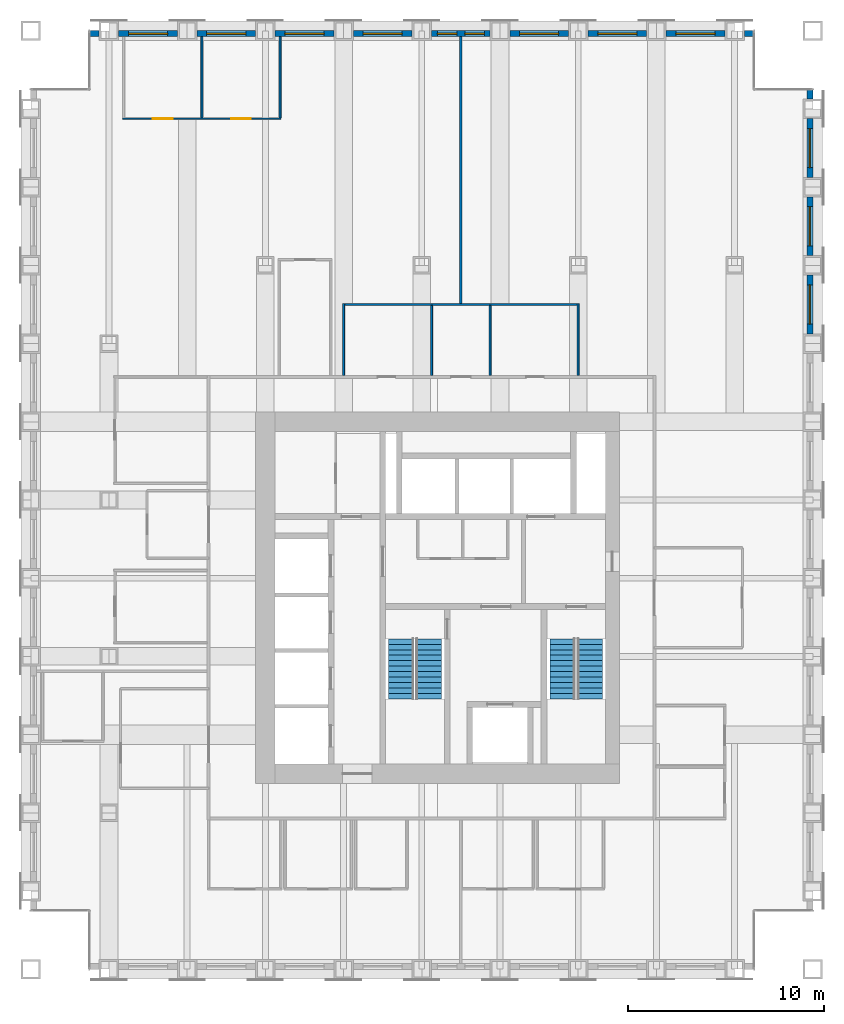
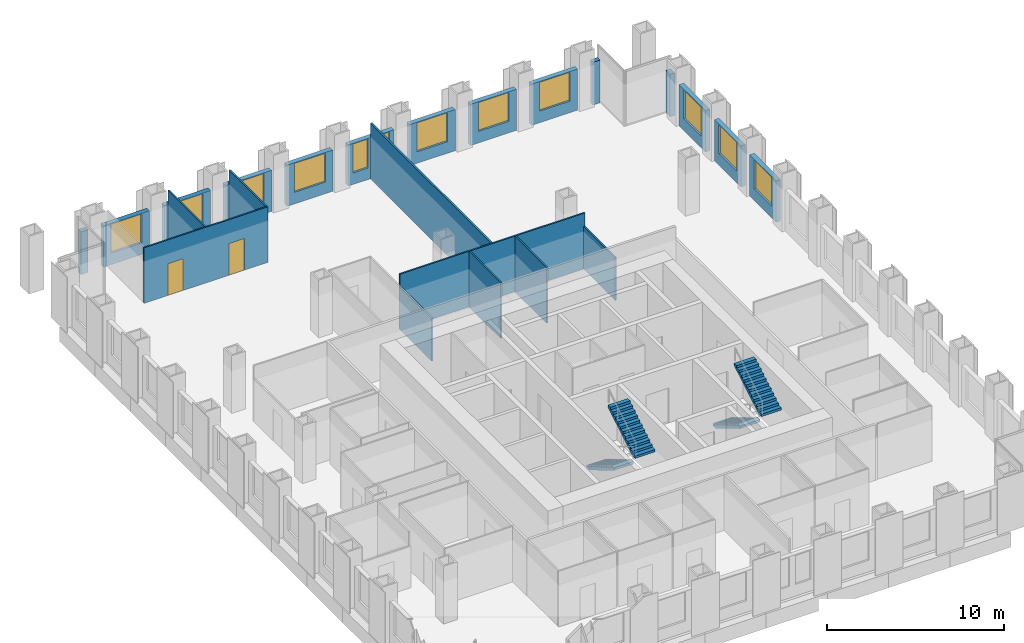
# One storey, part 12 of 14: 23 walls, 12 windows, 4 stair flights, 2 doors, 14 openings, 2 elements without a shape of their own.
"""IFC4 building model written with IfcOpenShell, lengths in metres."""

from ifc_helpers import new_model, si_unit, direction, frame, frame_2d, origin, place, context, subcontext, project, spatial, polyline, rectangle, outline, extrude, material, layer, layer_set, type_object, element, fill, aggregate, save


model = new_model("IFC4")

# Units and contexts
model_context = context("Model", 3, precision=1e-05, world=origin(), true_north=direction((0.0, 1.0)))
body_context = subcontext(model_context, "Body", "Model", "MODEL_VIEW")
ifc_project = project(units=[si_unit("LENGTHUNIT", "METRE"), si_unit("AREAUNIT", "SQUARE_METRE"), si_unit("VOLUMEUNIT", "CUBIC_METRE"), si_unit("PLANEANGLEUNIT", "RADIAN"), si_unit("MASSUNIT", "GRAM", prefix="KILO")], contexts=[model_context])

# Site, building, storey
site_placement = place(None, origin())
site = spatial("IfcSite", under=ifc_project, at=site_placement, CompositionType="ELEMENT")
building_placement = place(site_placement, origin())
building = spatial("IfcBuilding", under=site, at=building_placement, Name="Rimbunsela Tower", CompositionType="ELEMENT")
storey_placement = place(building_placement, frame((0.0, 0.0, 179.800048828125)))
storey = spatial("IfcBuildingStorey", under=building, at=storey_placement, Name="L43", CompositionType="ELEMENT", Elevation=179.800048828125)

# Wall, openings, doors
ifc_material_1 = material(Name="Gypsum board on steel studs", Category="steel")
ifc_layer_1 = layer(ifc_material_1, 0.10009765625)
ifc_layer_set_1 = layer_set([ifc_layer_1], Name="Office partition 100")
wall_type_1 = type_object("IfcWallType", Name="Office partition 100", PredefinedType="PARTITIONING", material=ifc_layer_set_1)
wall_1_placement = place(storey_placement, frame((10.699951171875, 51.5, 0.0), z_axis=(0.0, 0.0, 1.0), x_axis=(1.0, 0.0, 0.0)))
wall_1 = element("IfcWall", 1, at=wall_1_placement, inside=storey, type_object=wall_type_1, Name="Office partition", PredefinedType="PARTITIONING", context=body_context, shape_type="SweptSolid", body=[
    extrude(rectangle(XDim=8.10009765625, YDim=0.10009765625, at=frame_2d((4.050048828125, 0.0))), origin(), (0.0, 0.0, 1.0), 3.849853515625),
])
opening_1_placement = place(wall_1_placement, frame((1.550048828125, 0.0, 0.0)))
opening_1 = element("IfcOpeningElement", 2, at=opening_1_placement, cuts=wall_1, Name="Opening D16", PredefinedType="OPENING", context=body_context, shape_type="SweptSolid", body=[
    extrude(rectangle(XDim=1.0, YDim=2.199951171875, at=frame_2d((0.5, 1.10009765625))), frame((0.0, 0.06005859375, 0.0), z_axis=(0.0, -1.0, 0.0), x_axis=(1.0, 0.0, 0.0)), (0.0, 0.0, 1.0), 0.1201171875),
])
opening_2_placement = place(wall_1_placement, frame((5.550048828125, 0.0, 0.0)))
opening_2 = element("IfcOpeningElement", 3, at=opening_2_placement, cuts=wall_1, Name="Opening D16", PredefinedType="OPENING", context=body_context, shape_type="SweptSolid", body=[
    extrude(rectangle(XDim=1.0, YDim=2.199951171875, at=frame_2d((0.5, 1.10009765625))), frame((0.0, 0.06005859375, 0.0), z_axis=(0.0, -1.0, 0.0), x_axis=(1.0, 0.0, 0.0)), (0.0, 0.0, 1.0), 0.1201171875),
])
ifc_material_2 = material(Name="Timber door", Category="wood")
door_type = type_object("IfcDoorType", Name="Office door 1000", OperationType="SINGLE_SWING_LEFT", PredefinedType="DOOR", material=ifc_material_2)
door_1_placement = place(opening_1_placement, origin())
door_1 = element("IfcDoor", 4, at=door_1_placement, inside=storey, type_object=door_type, Name="Office door", OperationType="SINGLE_SWING_LEFT", OverallHeight=2.199951171875, OverallWidth=1.0, PredefinedType="DOOR", context=body_context, shape_type="SweptSolid", body=[
    extrude(rectangle(XDim=1.0, YDim=2.199951171875, at=frame_2d((0.5, 1.10009765625))), frame((0.0, 0.02490234375, 0.0), z_axis=(0.0, -1.0, 0.0), x_axis=(1.0, 0.0, 0.0)), (0.0, 0.0, 1.0), 0.050048828125),
])
fill(opening_1, door_1)
door_2_placement = place(opening_2_placement, origin())
door_2 = element("IfcDoor", 5, at=door_2_placement, inside=storey, type_object=door_type, Name="Office door", OperationType="SINGLE_SWING_LEFT", OverallHeight=2.199951171875, OverallWidth=1.0, PredefinedType="DOOR", context=body_context, shape_type="SweptSolid", body=[
    extrude(rectangle(XDim=1.0, YDim=2.199951171875, at=frame_2d((0.5, 1.10009765625))), frame((0.0, 0.02490234375, 0.0), z_axis=(0.0, -1.0, 0.0), x_axis=(1.0, 0.0, 0.0)), (0.0, 0.0, 1.0), 0.050048828125),
])
fill(opening_2, door_2)

# Walls
for number, where, z_axis, x_axis, name in (
    (6, (14.75, 51.550048828125, 0.0), (0.0, 0.0, 1.0), (0.0, 1.0, 0.0), "Office partition"),
    (7, (18.75, 51.550048828125, 0.0), (0.0, 0.0, 1.0), (0.0, 1.0, 0.0), "Office partition"),
):
    element("IfcWall", number, at=place(storey_placement, frame(where, z_axis=z_axis, x_axis=x_axis)), inside=storey, type_object=wall_type_1, Name=name, PredefinedType="PARTITIONING", context=body_context, shape_type="SweptSolid", body=[
        extrude(rectangle(XDim=4.14990234375, YDim=0.10009765625, at=frame_2d((2.074951171875, 0.0))), origin(), (0.0, 0.0, 1.0), 3.849853515625),
    ])

# Wall, opening, window
ifc_material_3 = material(Name="Precast concrete fc' 35 MPa", Category="concrete")
ifc_layer_2 = layer(ifc_material_3, 0.300048828125)
ifc_layer_set_2 = layer_set([ifc_layer_2], Name="Precast concrete fc' 35 MPa")
wall_type_2 = type_object("IfcWallType", Name="Precast facade panel 300", PredefinedType="ELEMENTEDWALL", material=ifc_layer_set_2)
wall_2_placement = place(storey_placement, frame((45.85009765625, 40.5, 0.0), z_axis=(0.0, 0.0, 1.0), x_axis=(0.0, 1.0, 0.0)))
wall_2 = element("IfcWall", 8, at=wall_2_placement, inside=storey, type_object=wall_type_2, Name="Facade panel E L43", PredefinedType="ELEMENTEDWALL", context=body_context, shape_type="SweptSolid", body=[
    extrude(rectangle(XDim=3.0, YDim=0.300048828125, at=frame_2d((1.5, 0.0))), origin(), (0.0, 0.0, 1.0), 2.849853515625),
])
opening_3_placement = place(wall_2_placement, frame((0.5, 0.0, 0.800048828125)))
opening_3 = element("IfcOpeningElement", 9, at=opening_3_placement, cuts=wall_2, Name="Opening W1", PredefinedType="OPENING", context=body_context, shape_type="SweptSolid", body=[
    extrude(rectangle(XDim=2.0, YDim=2.0, at=frame_2d((1.0, 1.0))), frame((0.0, 0.159912109375, 0.0), z_axis=(0.0, -1.0, 0.0), x_axis=(1.0, 0.0, 0.0)), (0.0, 0.0, 1.0), 0.320068359375),
])
ifc_material_4 = material(Name="Clear glass in aluminium frame", Category="aluminium")
window_type_1 = type_object("IfcWindowType", Name="Window W1 2000x2000", PartitioningType="DOUBLE_PANEL_VERTICAL", PredefinedType="WINDOW", material=ifc_material_4)
window_1_placement = place(opening_3_placement, origin())
window_1 = element("IfcWindow", 10, at=window_1_placement, inside=storey, type_object=window_type_1, Name="Window L43", OverallHeight=2.0, OverallWidth=2.0, PartitioningType="SINGLE_PANEL", PredefinedType="WINDOW", context=body_context, shape_type="SweptSolid", body=[
    extrude(rectangle(XDim=2.0, YDim=2.0, at=frame_2d((1.0, 1.0))), frame((0.0, 0.030029296875, 0.0), z_axis=(0.0, -1.0, 0.0), x_axis=(1.0, 0.0, 0.0)), (0.0, 0.0, 1.0), 0.06005859375),
])
fill(opening_3, window_1)

wall_3_placement = place(storey_placement, frame((45.85009765625, 44.5, 0.0), z_axis=(0.0, 0.0, 1.0), x_axis=(0.0, 1.0, 0.0)))
wall_3 = element("IfcWall", 11, at=wall_3_placement, inside=storey, type_object=wall_type_2, Name="Facade panel E L43", PredefinedType="ELEMENTEDWALL", context=body_context, shape_type="SweptSolid", body=[
    extrude(rectangle(XDim=3.0, YDim=0.300048828125, at=frame_2d((1.5, 0.0))), origin(), (0.0, 0.0, 1.0), 2.849853515625),
])
opening_4_placement = place(wall_3_placement, frame((0.5, 0.0, 0.800048828125)))
opening_4 = element("IfcOpeningElement", 12, at=opening_4_placement, cuts=wall_3, Name="Opening W1", PredefinedType="OPENING", context=body_context, shape_type="SweptSolid", body=[
    extrude(rectangle(XDim=2.0, YDim=2.0, at=frame_2d((1.0, 1.0))), frame((0.0, 0.159912109375, 0.0), z_axis=(0.0, -1.0, 0.0), x_axis=(1.0, 0.0, 0.0)), (0.0, 0.0, 1.0), 0.320068359375),
])
window_2_placement = place(opening_4_placement, origin())
window_2 = element("IfcWindow", 13, at=window_2_placement, inside=storey, type_object=window_type_1, Name="Window L43", OverallHeight=2.0, OverallWidth=2.0, PartitioningType="SINGLE_PANEL", PredefinedType="WINDOW", context=body_context, shape_type="SweptSolid", body=[
    extrude(rectangle(XDim=2.0, YDim=2.0, at=frame_2d((1.0, 1.0))), frame((0.0, 0.030029296875, 0.0), z_axis=(0.0, -1.0, 0.0), x_axis=(1.0, 0.0, 0.0)), (0.0, 0.0, 1.0), 0.06005859375),
])
fill(opening_4, window_2)

wall_4_placement = place(storey_placement, frame((45.85009765625, 48.5, 0.0), z_axis=(0.0, 0.0, 1.0), x_axis=(0.0, 1.0, 0.0)))
wall_4 = element("IfcWall", 14, at=wall_4_placement, inside=storey, type_object=wall_type_2, Name="Facade panel E L43", PredefinedType="ELEMENTEDWALL", context=body_context, shape_type="SweptSolid", body=[
    extrude(rectangle(XDim=3.0, YDim=0.300048828125, at=frame_2d((1.5, 0.0))), origin(), (0.0, 0.0, 1.0), 2.849853515625),
])
opening_5_placement = place(wall_4_placement, frame((0.5, 0.0, 0.800048828125)))
opening_5 = element("IfcOpeningElement", 15, at=opening_5_placement, cuts=wall_4, Name="Opening W1", PredefinedType="OPENING", context=body_context, shape_type="SweptSolid", body=[
    extrude(rectangle(XDim=2.0, YDim=2.0, at=frame_2d((1.0, 1.0))), frame((0.0, 0.159912109375, 0.0), z_axis=(0.0, -1.0, 0.0), x_axis=(1.0, 0.0, 0.0)), (0.0, 0.0, 1.0), 0.320068359375),
])
window_3_placement = place(opening_5_placement, origin())
window_3 = element("IfcWindow", 16, at=window_3_placement, inside=storey, type_object=window_type_1, Name="Window L43", OverallHeight=2.0, OverallWidth=2.0, PartitioningType="SINGLE_PANEL", PredefinedType="WINDOW", context=body_context, shape_type="SweptSolid", body=[
    extrude(rectangle(XDim=2.0, YDim=2.0, at=frame_2d((1.0, 1.0))), frame((0.0, 0.030029296875, 0.0), z_axis=(0.0, -1.0, 0.0), x_axis=(1.0, 0.0, 0.0)), (0.0, 0.0, 1.0), 0.06005859375),
])
fill(opening_5, window_3)

# Walls
for number, where, z_axis, x_axis, name in (
    (17, (45.85009765625, 52.5, 0.0), (0.0, 0.0, 1.0), (0.0, 1.0, 0.0), "Facade panel E L43"),
    (18, (9.5, 55.85009765625, 0.0), (0.0, 0.0, 1.0), (-1.0, 0.0, 0.0), "Facade panel N L43"),
):
    element("IfcWall", number, at=place(storey_placement, frame(where, z_axis=z_axis, x_axis=x_axis)), inside=storey, type_object=wall_type_2, Name=name, PredefinedType="ELEMENTEDWALL", context=body_context, shape_type="SweptSolid", body=[
        extrude(rectangle(XDim=0.469970703125, YDim=0.300048828125, at=frame_2d((0.23486328125, 0.0))), origin(), (0.0, 0.0, 1.0), 2.949951171875),
    ])

# Wall, opening, window
wall_5_placement = place(storey_placement, frame((13.5, 55.85009765625, 0.0), z_axis=(0.0, 0.0, 1.0), x_axis=(-1.0, 0.0, 0.0)))
wall_5 = element("IfcWall", 19, at=wall_5_placement, inside=storey, type_object=wall_type_2, Name="Facade panel N L43", PredefinedType="ELEMENTEDWALL", context=body_context, shape_type="SweptSolid", body=[
    extrude(rectangle(XDim=3.0, YDim=0.300048828125, at=frame_2d((1.5, 0.0))), origin(), (0.0, 0.0, 1.0), 2.849853515625),
])
opening_6_placement = place(wall_5_placement, frame((0.5, 0.0, 0.800048828125)))
opening_6 = element("IfcOpeningElement", 20, at=opening_6_placement, cuts=wall_5, Name="Opening W1", PredefinedType="OPENING", context=body_context, shape_type="SweptSolid", body=[
    extrude(rectangle(XDim=2.0, YDim=2.0, at=frame_2d((1.0, 1.0))), frame((0.0, 0.159912109375, 0.0), z_axis=(0.0, -1.0, 0.0), x_axis=(1.0, 0.0, 0.0)), (0.0, 0.0, 1.0), 0.320068359375),
])
window_4_placement = place(opening_6_placement, origin())
window_4 = element("IfcWindow", 21, at=window_4_placement, inside=storey, type_object=window_type_1, Name="Window L43", OverallHeight=2.0, OverallWidth=2.0, PartitioningType="SINGLE_PANEL", PredefinedType="WINDOW", context=body_context, shape_type="SweptSolid", body=[
    extrude(rectangle(XDim=2.0, YDim=2.0, at=frame_2d((1.0, 1.0))), frame((0.0, 0.030029296875, 0.0), z_axis=(0.0, -1.0, 0.0), x_axis=(1.0, 0.0, 0.0)), (0.0, 0.0, 1.0), 0.06005859375),
])
fill(opening_6, window_4)

wall_6_placement = place(storey_placement, frame((17.5, 55.85009765625, 0.0), z_axis=(0.0, 0.0, 1.0), x_axis=(-1.0, 0.0, 0.0)))
wall_6 = element("IfcWall", 22, at=wall_6_placement, inside=storey, type_object=wall_type_2, Name="Facade panel N L43", PredefinedType="ELEMENTEDWALL", context=body_context, shape_type="SweptSolid", body=[
    extrude(rectangle(XDim=3.0, YDim=0.300048828125, at=frame_2d((1.5, 0.0))), origin(), (0.0, 0.0, 1.0), 2.849853515625),
])
opening_7_placement = place(wall_6_placement, frame((0.5, 0.0, 0.800048828125)))
opening_7 = element("IfcOpeningElement", 23, at=opening_7_placement, cuts=wall_6, Name="Opening W1", PredefinedType="OPENING", context=body_context, shape_type="SweptSolid", body=[
    extrude(rectangle(XDim=2.0, YDim=2.0, at=frame_2d((1.0, 1.0))), frame((0.0, 0.159912109375, 0.0), z_axis=(0.0, -1.0, 0.0), x_axis=(1.0, 0.0, 0.0)), (0.0, 0.0, 1.0), 0.320068359375),
])
window_5_placement = place(opening_7_placement, origin())
window_5 = element("IfcWindow", 24, at=window_5_placement, inside=storey, type_object=window_type_1, Name="Window L43", OverallHeight=2.0, OverallWidth=2.0, PartitioningType="SINGLE_PANEL", PredefinedType="WINDOW", context=body_context, shape_type="SweptSolid", body=[
    extrude(rectangle(XDim=2.0, YDim=2.0, at=frame_2d((1.0, 1.0))), frame((0.0, 0.030029296875, 0.0), z_axis=(0.0, -1.0, 0.0), x_axis=(1.0, 0.0, 0.0)), (0.0, 0.0, 1.0), 0.06005859375),
])
fill(opening_7, window_5)

wall_7_placement = place(storey_placement, frame((21.5, 55.85009765625, 0.0), z_axis=(0.0, 0.0, 1.0), x_axis=(-1.0, 0.0, 0.0)))
wall_7 = element("IfcWall", 25, at=wall_7_placement, inside=storey, type_object=wall_type_2, Name="Facade panel N L43", PredefinedType="ELEMENTEDWALL", context=body_context, shape_type="SweptSolid", body=[
    extrude(rectangle(XDim=3.0, YDim=0.300048828125, at=frame_2d((1.5, 0.0))), origin(), (0.0, 0.0, 1.0), 2.849853515625),
])
opening_8_placement = place(wall_7_placement, frame((0.5, 0.0, 0.800048828125)))
opening_8 = element("IfcOpeningElement", 26, at=opening_8_placement, cuts=wall_7, Name="Opening W1", PredefinedType="OPENING", context=body_context, shape_type="SweptSolid", body=[
    extrude(rectangle(XDim=2.0, YDim=2.0, at=frame_2d((1.0, 1.0))), frame((0.0, 0.159912109375, 0.0), z_axis=(0.0, -1.0, 0.0), x_axis=(1.0, 0.0, 0.0)), (0.0, 0.0, 1.0), 0.320068359375),
])
window_6_placement = place(opening_8_placement, origin())
window_6 = element("IfcWindow", 27, at=window_6_placement, inside=storey, type_object=window_type_1, Name="Window L43", OverallHeight=2.0, OverallWidth=2.0, PartitioningType="SINGLE_PANEL", PredefinedType="WINDOW", context=body_context, shape_type="SweptSolid", body=[
    extrude(rectangle(XDim=2.0, YDim=2.0, at=frame_2d((1.0, 1.0))), frame((0.0, 0.030029296875, 0.0), z_axis=(0.0, -1.0, 0.0), x_axis=(1.0, 0.0, 0.0)), (0.0, 0.0, 1.0), 0.06005859375),
])
fill(opening_8, window_6)

wall_8_placement = place(storey_placement, frame((25.5, 55.85009765625, 0.0), z_axis=(0.0, 0.0, 1.0), x_axis=(-1.0, 0.0, 0.0)))
wall_8 = element("IfcWall", 28, at=wall_8_placement, inside=storey, type_object=wall_type_2, Name="Facade panel N L43", PredefinedType="ELEMENTEDWALL", context=body_context, shape_type="SweptSolid", body=[
    extrude(rectangle(XDim=3.0, YDim=0.300048828125, at=frame_2d((1.5, 0.0))), origin(), (0.0, 0.0, 1.0), 2.849853515625),
])
opening_9_placement = place(wall_8_placement, frame((0.5, 0.0, 0.800048828125)))
opening_9 = element("IfcOpeningElement", 29, at=opening_9_placement, cuts=wall_8, Name="Opening W1", PredefinedType="OPENING", context=body_context, shape_type="SweptSolid", body=[
    extrude(rectangle(XDim=2.0, YDim=2.0, at=frame_2d((1.0, 1.0))), frame((0.0, 0.159912109375, 0.0), z_axis=(0.0, -1.0, 0.0), x_axis=(1.0, 0.0, 0.0)), (0.0, 0.0, 1.0), 0.320068359375),
])
window_7_placement = place(opening_9_placement, origin())
window_7 = element("IfcWindow", 30, at=window_7_placement, inside=storey, type_object=window_type_1, Name="Window L43", OverallHeight=2.0, OverallWidth=2.0, PartitioningType="SINGLE_PANEL", PredefinedType="WINDOW", context=body_context, shape_type="SweptSolid", body=[
    extrude(rectangle(XDim=2.0, YDim=2.0, at=frame_2d((1.0, 1.0))), frame((0.0, 0.030029296875, 0.0), z_axis=(0.0, -1.0, 0.0), x_axis=(1.0, 0.0, 0.0)), (0.0, 0.0, 1.0), 0.06005859375),
])
fill(opening_9, window_7)

# Wall, openings, windows
wall_9_placement = place(storey_placement, frame((29.5, 55.85009765625, 0.0), z_axis=(0.0, 0.0, 1.0), x_axis=(-1.0, 0.0, 0.0)))
wall_9 = element("IfcWall", 31, at=wall_9_placement, inside=storey, type_object=wall_type_2, Name="Facade panel N L43", PredefinedType="ELEMENTEDWALL", context=body_context, shape_type="SweptSolid", body=[
    extrude(rectangle(XDim=3.0, YDim=0.300048828125, at=frame_2d((1.5, 0.0))), origin(), (0.0, 0.0, 1.0), 2.849853515625),
])
opening_10_placement = place(wall_9_placement, frame((1.699951171875, 0.0, 0.800048828125)))
opening_10 = element("IfcOpeningElement", 32, at=opening_10_placement, cuts=wall_9, Name="Opening W5", PredefinedType="OPENING", context=body_context, shape_type="SweptSolid", body=[
    extrude(rectangle(XDim=1.0, YDim=2.0, at=frame_2d((0.5, 1.0))), frame((0.0, 0.159912109375, 0.0), z_axis=(0.0, -1.0, 0.0), x_axis=(1.0, 0.0, 0.0)), (0.0, 0.0, 1.0), 0.320068359375),
])
opening_11_placement = place(wall_9_placement, frame((0.300048828125, 0.0, 0.800048828125)))
opening_11 = element("IfcOpeningElement", 33, at=opening_11_placement, cuts=wall_9, Name="Opening W5", PredefinedType="OPENING", context=body_context, shape_type="SweptSolid", body=[
    extrude(rectangle(XDim=1.0, YDim=2.0, at=frame_2d((0.5, 1.0))), frame((0.0, 0.159912109375, 0.0), z_axis=(0.0, -1.0, 0.0), x_axis=(1.0, 0.0, 0.0)), (0.0, 0.0, 1.0), 0.320068359375),
])
ifc_material_5 = material(Name="Clear glass in aluminium frame", Category="aluminium")
window_type_2 = type_object("IfcWindowType", Name="Window W5 1000x2000", PartitioningType="SINGLE_PANEL", PredefinedType="WINDOW", material=ifc_material_5)
window_8_placement = place(opening_10_placement, origin())
window_8 = element("IfcWindow", 34, at=window_8_placement, inside=storey, type_object=window_type_2, Name="Window L43", OverallHeight=2.0, OverallWidth=1.0, PartitioningType="SINGLE_PANEL", PredefinedType="WINDOW", context=body_context, shape_type="SweptSolid", body=[
    extrude(rectangle(XDim=1.0, YDim=2.0, at=frame_2d((0.5, 1.0))), frame((0.0, 0.030029296875, 0.0), z_axis=(0.0, -1.0, 0.0), x_axis=(1.0, 0.0, 0.0)), (0.0, 0.0, 1.0), 0.06005859375),
])
fill(opening_10, window_8)
window_9_placement = place(opening_11_placement, origin())
window_9 = element("IfcWindow", 35, at=window_9_placement, inside=storey, type_object=window_type_2, Name="Window L43", OverallHeight=2.0, OverallWidth=1.0, PartitioningType="SINGLE_PANEL", PredefinedType="WINDOW", context=body_context, shape_type="SweptSolid", body=[
    extrude(rectangle(XDim=1.0, YDim=2.0, at=frame_2d((0.5, 1.0))), frame((0.0, 0.030029296875, 0.0), z_axis=(0.0, -1.0, 0.0), x_axis=(1.0, 0.0, 0.0)), (0.0, 0.0, 1.0), 0.06005859375),
])
fill(opening_11, window_9)

# Wall, opening, window
wall_10_placement = place(storey_placement, frame((33.5, 55.85009765625, 0.0), z_axis=(0.0, 0.0, 1.0), x_axis=(-1.0, 0.0, 0.0)))
wall_10 = element("IfcWall", 36, at=wall_10_placement, inside=storey, type_object=wall_type_2, Name="Facade panel N L43", PredefinedType="ELEMENTEDWALL", context=body_context, shape_type="SweptSolid", body=[
    extrude(rectangle(XDim=3.0, YDim=0.300048828125, at=frame_2d((1.5, 0.0))), origin(), (0.0, 0.0, 1.0), 2.849853515625),
])
opening_12_placement = place(wall_10_placement, frame((0.5, 0.0, 0.800048828125)))
opening_12 = element("IfcOpeningElement", 37, at=opening_12_placement, cuts=wall_10, Name="Opening W1", PredefinedType="OPENING", context=body_context, shape_type="SweptSolid", body=[
    extrude(rectangle(XDim=2.0, YDim=2.0, at=frame_2d((1.0, 1.0))), frame((0.0, 0.159912109375, 0.0), z_axis=(0.0, -1.0, 0.0), x_axis=(1.0, 0.0, 0.0)), (0.0, 0.0, 1.0), 0.320068359375),
])
window_10_placement = place(opening_12_placement, origin())
window_10 = element("IfcWindow", 38, at=window_10_placement, inside=storey, type_object=window_type_1, Name="Window L43", OverallHeight=2.0, OverallWidth=2.0, PartitioningType="SINGLE_PANEL", PredefinedType="WINDOW", context=body_context, shape_type="SweptSolid", body=[
    extrude(rectangle(XDim=2.0, YDim=2.0, at=frame_2d((1.0, 1.0))), frame((0.0, 0.030029296875, 0.0), z_axis=(0.0, -1.0, 0.0), x_axis=(1.0, 0.0, 0.0)), (0.0, 0.0, 1.0), 0.06005859375),
])
fill(opening_12, window_10)

wall_11_placement = place(storey_placement, frame((37.5, 55.85009765625, 0.0), z_axis=(0.0, 0.0, 1.0), x_axis=(-1.0, 0.0, 0.0)))
wall_11 = element("IfcWall", 39, at=wall_11_placement, inside=storey, type_object=wall_type_2, Name="Facade panel N L43", PredefinedType="ELEMENTEDWALL", context=body_context, shape_type="SweptSolid", body=[
    extrude(rectangle(XDim=3.0, YDim=0.300048828125, at=frame_2d((1.5, 0.0))), origin(), (0.0, 0.0, 1.0), 2.849853515625),
])
opening_13_placement = place(wall_11_placement, frame((0.5, 0.0, 0.800048828125)))
opening_13 = element("IfcOpeningElement", 40, at=opening_13_placement, cuts=wall_11, Name="Opening W1", PredefinedType="OPENING", context=body_context, shape_type="SweptSolid", body=[
    extrude(rectangle(XDim=2.0, YDim=2.0, at=frame_2d((1.0, 1.0))), frame((0.0, 0.159912109375, 0.0), z_axis=(0.0, -1.0, 0.0), x_axis=(1.0, 0.0, 0.0)), (0.0, 0.0, 1.0), 0.320068359375),
])
window_11_placement = place(opening_13_placement, origin())
window_11 = element("IfcWindow", 41, at=window_11_placement, inside=storey, type_object=window_type_1, Name="Window L43", OverallHeight=2.0, OverallWidth=2.0, PartitioningType="SINGLE_PANEL", PredefinedType="WINDOW", context=body_context, shape_type="SweptSolid", body=[
    extrude(rectangle(XDim=2.0, YDim=2.0, at=frame_2d((1.0, 1.0))), frame((0.0, 0.030029296875, 0.0), z_axis=(0.0, -1.0, 0.0), x_axis=(1.0, 0.0, 0.0)), (0.0, 0.0, 1.0), 0.06005859375),
])
fill(opening_13, window_11)

wall_12_placement = place(storey_placement, frame((41.5, 55.85009765625, 0.0), z_axis=(0.0, 0.0, 1.0), x_axis=(-1.0, 0.0, 0.0)))
wall_12 = element("IfcWall", 42, at=wall_12_placement, inside=storey, type_object=wall_type_2, Name="Facade panel N L43", PredefinedType="ELEMENTEDWALL", context=body_context, shape_type="SweptSolid", body=[
    extrude(rectangle(XDim=3.0, YDim=0.300048828125, at=frame_2d((1.5, 0.0))), origin(), (0.0, 0.0, 1.0), 2.849853515625),
])
opening_14_placement = place(wall_12_placement, frame((0.5, 0.0, 0.800048828125)))
opening_14 = element("IfcOpeningElement", 43, at=opening_14_placement, cuts=wall_12, Name="Opening W1", PredefinedType="OPENING", context=body_context, shape_type="SweptSolid", body=[
    extrude(rectangle(XDim=2.0, YDim=2.0, at=frame_2d((1.0, 1.0))), frame((0.0, 0.159912109375, 0.0), z_axis=(0.0, -1.0, 0.0), x_axis=(1.0, 0.0, 0.0)), (0.0, 0.0, 1.0), 0.320068359375),
])
window_12_placement = place(opening_14_placement, origin())
window_12 = element("IfcWindow", 44, at=window_12_placement, inside=storey, type_object=window_type_1, Name="Window L43", OverallHeight=2.0, OverallWidth=2.0, PartitioningType="SINGLE_PANEL", PredefinedType="WINDOW", context=body_context, shape_type="SweptSolid", body=[
    extrude(rectangle(XDim=2.0, YDim=2.0, at=frame_2d((1.0, 1.0))), frame((0.0, 0.030029296875, 0.0), z_axis=(0.0, -1.0, 0.0), x_axis=(1.0, 0.0, 0.0)), (0.0, 0.0, 1.0), 0.06005859375),
])
fill(opening_14, window_12)

# Walls
wall_13_placement = place(storey_placement, frame((42.969970703125, 55.85009765625, 0.0), z_axis=(0.0, 0.0, 1.0), x_axis=(-1.0, 0.0, 0.0)))
element("IfcWall", 45, at=wall_13_placement, inside=storey, type_object=wall_type_2, Name="Facade panel N L43", PredefinedType="ELEMENTEDWALL", context=body_context, shape_type="SweptSolid", body=[
    extrude(rectangle(XDim=0.469970703125, YDim=0.300048828125, at=frame_2d((0.23486328125, 0.0))), origin(), (0.0, 0.0, 1.0), 2.949951171875),
])
ifc_material_6 = material(Name="Gypsum board on steel studs", Category="steel")
ifc_layer_3 = layer(ifc_material_6, 0.1201171875)
ifc_layer_set_3 = layer_set([ifc_layer_3], Name="Tenancy partition 120")
wall_type_3 = type_object("IfcWallType", Name="Tenancy partition 120", PredefinedType="PARTITIONING", material=ifc_layer_set_3)
wall_14_placement = place(storey_placement, frame((28.0, 42.050048828125, 0.0), z_axis=(0.0, 0.0, 1.0), x_axis=(0.0, 1.0, 0.0)))
element("IfcWall", 46, at=wall_14_placement, inside=storey, type_object=wall_type_3, Name="Tenancy partition north", PredefinedType="PARTITIONING", context=body_context, shape_type="SweptSolid", body=[
    extrude(rectangle(XDim=13.64990234375, YDim=0.1201171875, at=frame_2d((6.824951171875, 0.0))), origin(), (0.0, 0.0, 1.0), 3.849853515625),
])
ifc_material_7 = material(Name="Concrete blockwork", Category="masonry")
ifc_layer_4 = layer(ifc_material_7, 0.10009765625)
ifc_layer_set_4 = layer_set([ifc_layer_4], Name="Toilet partition 100")
wall_type_4 = type_object("IfcWallType", Name="Toilet partition 100", PredefinedType="PARTITIONING", material=ifc_layer_set_4)
for number, where, z_axis, x_axis, name in (
    (47, (22.0, 38.375, 0.0), (0.0, 0.0, 1.0), (0.0, 1.0, 0.0), "Toilet block wall west"),
    (48, (34.0, 38.375, 0.0), (0.0, 0.0, 1.0), (0.0, 1.0, 0.0), "Toilet block wall east"),
):
    element("IfcWall", number, at=place(storey_placement, frame(where, z_axis=z_axis, x_axis=x_axis)), inside=storey, type_object=wall_type_4, Name=name, PredefinedType="PARTITIONING", context=body_context, shape_type="SweptSolid", body=[
        extrude(rectangle(XDim=3.675048828125, YDim=0.10009765625, at=frame_2d((1.83740234375, 0.0))), origin(), (0.0, 0.0, 1.0), 2.949951171875),
    ])
wall_15_placement = place(storey_placement, frame((21.949951171875, 42.0, 0.0), z_axis=(0.0, 0.0, 1.0), x_axis=(1.0, 0.0, 0.0)))
element("IfcWall", 49, at=wall_15_placement, inside=storey, type_object=wall_type_4, Name="Toilet block wall north", PredefinedType="PARTITIONING", context=body_context, shape_type="SweptSolid", body=[
    extrude(rectangle(XDim=12.10009765625, YDim=0.10009765625, at=frame_2d((6.050048828125, 0.0))), origin(), (0.0, 0.0, 1.0), 3.849853515625),
])
for number, where, z_axis, x_axis, name in (
    (50, (26.5, 38.375, 0.0), (0.0, 0.0, 1.0), (0.0, 1.0, 0.0), "Toilet partition"),
    (51, (29.5, 38.375, 0.0), (0.0, 0.0, 1.0), (0.0, 1.0, 0.0), "Toilet partition"),
):
    element("IfcWall", number, at=place(storey_placement, frame(where, z_axis=z_axis, x_axis=x_axis)), inside=storey, type_object=wall_type_4, Name=name, PredefinedType="PARTITIONING", context=body_context, shape_type="SweptSolid", body=[
        extrude(rectangle(XDim=3.574951171875, YDim=0.10009765625, at=frame_2d((1.78759765625, 0.0))), origin(), (0.0, 0.0, 1.0), 3.849853515625),
    ])

# Stair, stair flights
ifc_material_8 = material(Name="Concrete fc' 35 MPa", Category="concrete")
stair_type = type_object("IfcStairType", Name="Exit stair 24 risers", PredefinedType="HALF_TURN_STAIR", material=ifc_material_8)
stair_1_placement = place(storey_placement, origin())
stair_1 = element("IfcStair", 52, at=stair_1_placement, inside=storey, type_object=stair_type, Name="Exit stair A L43", PredefinedType="HALF_TURN_STAIR")
ifc_material_9 = material(Name="Concrete fc' 35 MPa", Category="concrete")
stair_flight_type = type_object("IfcStairFlightType", Name="Stair flight 12 risers 167", PredefinedType="STRAIGHT", material=ifc_material_9)
stair_flight_1_placement = place(storey_placement, frame((24.949951171875, 24.89990234375, 0.0), z_axis=(0.0, 0.0, 1.0), x_axis=(0.0, -1.0, 0.0)))
stair_flight_1 = element("IfcStairFlight", 53, at=stair_flight_1_placement, type_object=stair_flight_type, Name="ST-A flight 1", NumberOfRisers=12, NumberOfTreads=11, PredefinedType="STRAIGHT", RiserHeight=0.166666667, TreadLength=0.28, context=body_context, shape_type="SweptSolid", body=[
    extrude(outline(polyline([(0.0, 0.0), (0.0, 0.166748046875), (0.280029296875, 0.166748046875), (0.280029296875, 0.333251953125), (0.56005859375, 0.333251953125), (0.56005859375, 0.5), (0.840087890625, 0.5), (0.840087890625, 0.666748046875), (1.1201171875, 0.666748046875), (1.1201171875, 0.833251953125), (1.39990234375, 0.833251953125), (1.39990234375, 1.0), (1.679931640625, 1.0), (1.679931640625, 1.166748046875), (1.9599609375, 1.166748046875), (1.9599609375, 1.333251953125), (2.239990234375, 1.333251953125), (2.239990234375, 1.5), (2.52001953125, 1.5), (2.52001953125, 1.666748046875), (2.800048828125, 1.666748046875), (2.800048828125, 1.833251953125), (3.080078125, 1.833251953125), (3.080078125, 2.0), (3.080078125, 1.658935546875), (0.29296875, 0.0), (0.0, 0.0)])), frame((0.0, 0.64990234375, 0.0), z_axis=(0.0, -1.0, 0.0), x_axis=(1.0, 0.0, 0.0)), (0.0, 0.0, 1.0), 1.300048828125),
])
stair_flight_2_placement = place(storey_placement, frame((26.35009765625, 21.820068359375, 2.0), z_axis=(0.0, 0.0, 1.0), x_axis=(0.0, 1.0, 0.0)))
stair_flight_2 = element("IfcStairFlight", 54, at=stair_flight_2_placement, type_object=stair_flight_type, Name="ST-A flight 2", NumberOfRisers=12, NumberOfTreads=11, PredefinedType="STRAIGHT", RiserHeight=0.166666667, TreadLength=0.28, context=body_context, shape_type="SweptSolid", body=[
    extrude(outline(polyline([(0.0, 0.0), (0.0, 0.166748046875), (0.280029296875, 0.166748046875), (0.280029296875, 0.333251953125), (0.56005859375, 0.333251953125), (0.56005859375, 0.5), (0.840087890625, 0.5), (0.840087890625, 0.666748046875), (1.1201171875, 0.666748046875), (1.1201171875, 0.833251953125), (1.39990234375, 0.833251953125), (1.39990234375, 1.0), (1.679931640625, 1.0), (1.679931640625, 1.166748046875), (1.9599609375, 1.166748046875), (1.9599609375, 1.333251953125), (2.239990234375, 1.333251953125), (2.239990234375, 1.5), (2.52001953125, 1.5), (2.52001953125, 1.666748046875), (2.800048828125, 1.666748046875), (2.800048828125, 1.833251953125), (3.080078125, 1.833251953125), (3.080078125, 2.0), (3.080078125, 1.658935546875), (0.29296875, 0.0), (0.0, 0.0)])), frame((0.0, 0.64990234375, 0.0), z_axis=(0.0, -1.0, 0.0), x_axis=(1.0, 0.0, 0.0)), (0.0, 0.0, 1.0), 1.300048828125),
])
aggregate(stair_1, [stair_flight_1, stair_flight_2])

stair_2_placement = place(storey_placement, origin())
stair_2 = element("IfcStair", 55, at=stair_2_placement, inside=storey, type_object=stair_type, Name="Exit stair B L43", PredefinedType="HALF_TURN_STAIR")
stair_flight_3_placement = place(storey_placement, frame((33.199951171875, 24.89990234375, 0.0), z_axis=(0.0, 0.0, 1.0), x_axis=(0.0, -1.0, 0.0)))
stair_flight_3 = element("IfcStairFlight", 56, at=stair_flight_3_placement, type_object=stair_flight_type, Name="ST-B flight 1", NumberOfRisers=12, NumberOfTreads=11, PredefinedType="STRAIGHT", RiserHeight=0.166666667, TreadLength=0.28, context=body_context, shape_type="SweptSolid", body=[
    extrude(outline(polyline([(0.0, 0.0), (0.0, 0.166748046875), (0.280029296875, 0.166748046875), (0.280029296875, 0.333251953125), (0.56005859375, 0.333251953125), (0.56005859375, 0.5), (0.840087890625, 0.5), (0.840087890625, 0.666748046875), (1.1201171875, 0.666748046875), (1.1201171875, 0.833251953125), (1.39990234375, 0.833251953125), (1.39990234375, 1.0), (1.679931640625, 1.0), (1.679931640625, 1.166748046875), (1.9599609375, 1.166748046875), (1.9599609375, 1.333251953125), (2.239990234375, 1.333251953125), (2.239990234375, 1.5), (2.52001953125, 1.5), (2.52001953125, 1.666748046875), (2.800048828125, 1.666748046875), (2.800048828125, 1.833251953125), (3.080078125, 1.833251953125), (3.080078125, 2.0), (3.080078125, 1.658935546875), (0.29296875, 0.0), (0.0, 0.0)])), frame((0.0, 0.64990234375, 0.0), z_axis=(0.0, -1.0, 0.0), x_axis=(1.0, 0.0, 0.0)), (0.0, 0.0, 1.0), 1.300048828125),
])
stair_flight_4_placement = place(storey_placement, frame((34.60009765625, 21.820068359375, 2.0), z_axis=(0.0, 0.0, 1.0), x_axis=(0.0, 1.0, 0.0)))
stair_flight_4 = element("IfcStairFlight", 57, at=stair_flight_4_placement, type_object=stair_flight_type, Name="ST-B flight 2", NumberOfRisers=12, NumberOfTreads=11, PredefinedType="STRAIGHT", RiserHeight=0.166666667, TreadLength=0.28, context=body_context, shape_type="SweptSolid", body=[
    extrude(outline(polyline([(0.0, 0.0), (0.0, 0.166748046875), (0.280029296875, 0.166748046875), (0.280029296875, 0.333251953125), (0.56005859375, 0.333251953125), (0.56005859375, 0.5), (0.840087890625, 0.5), (0.840087890625, 0.666748046875), (1.1201171875, 0.666748046875), (1.1201171875, 0.833251953125), (1.39990234375, 0.833251953125), (1.39990234375, 1.0), (1.679931640625, 1.0), (1.679931640625, 1.166748046875), (1.9599609375, 1.166748046875), (1.9599609375, 1.333251953125), (2.239990234375, 1.333251953125), (2.239990234375, 1.5), (2.52001953125, 1.5), (2.52001953125, 1.666748046875), (2.800048828125, 1.666748046875), (2.800048828125, 1.833251953125), (3.080078125, 1.833251953125), (3.080078125, 2.0), (3.080078125, 1.658935546875), (0.29296875, 0.0), (0.0, 0.0)])), frame((0.0, 0.64990234375, 0.0), z_axis=(0.0, -1.0, 0.0), x_axis=(1.0, 0.0, 0.0)), (0.0, 0.0, 1.0), 1.300048828125),
])
aggregate(stair_2, [stair_flight_3, stair_flight_4])

save(model, "model.ifc")
